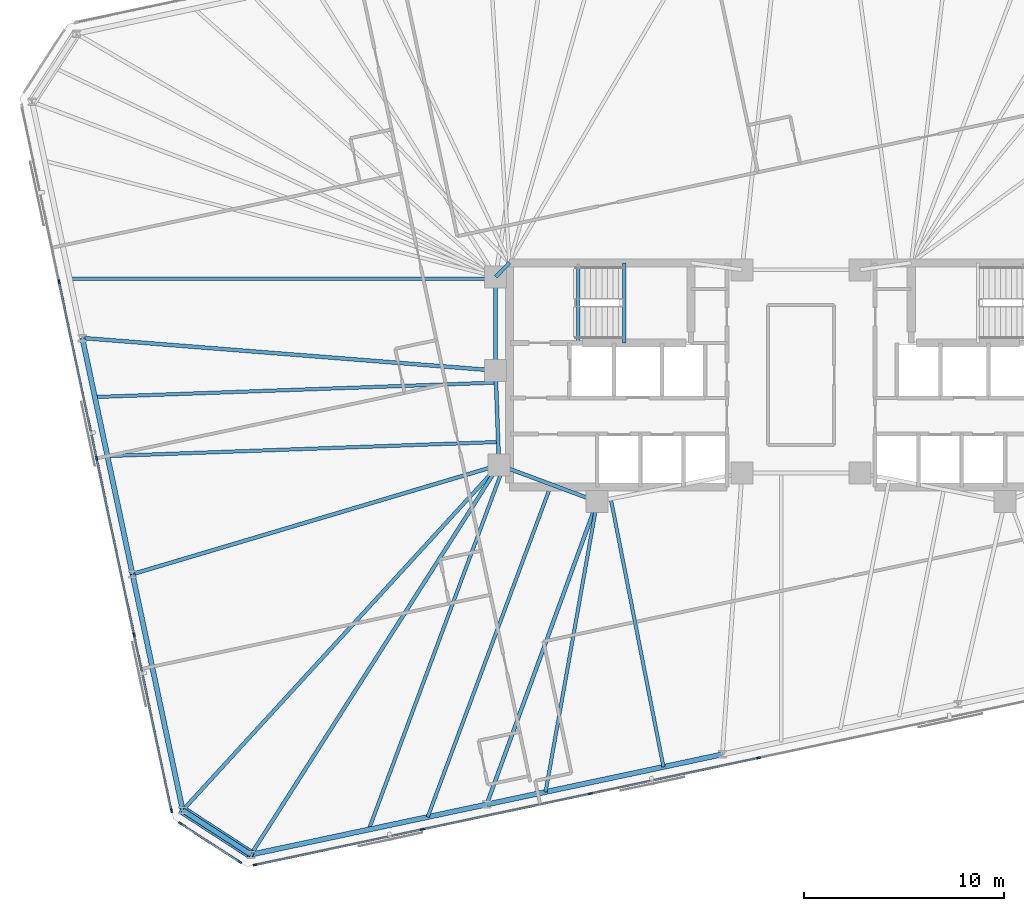
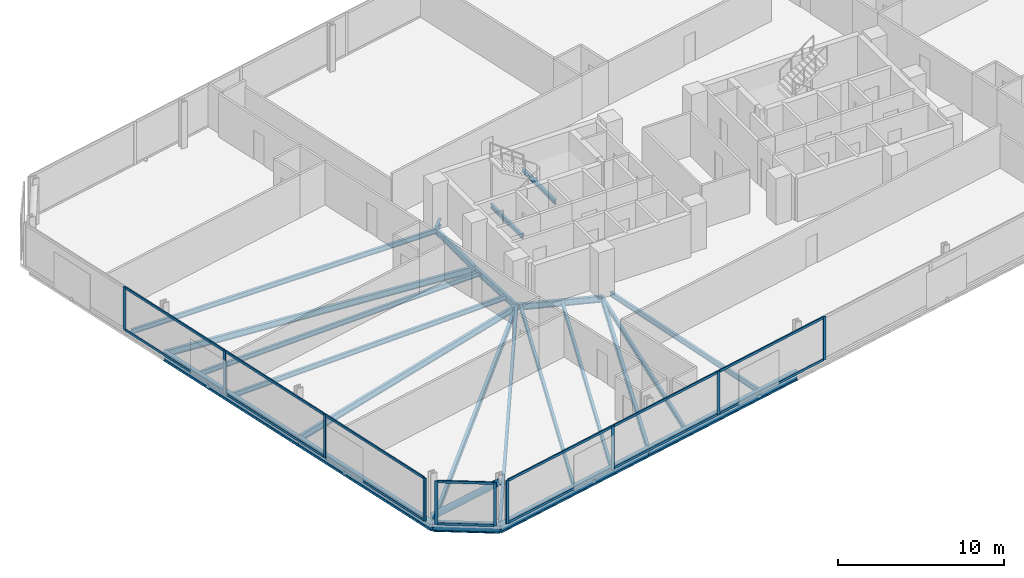
# One storey, part 6 of 19: 25 members, 23 beams, 3 elements without a shape of their own.
"""IFC4 building model written with IfcOpenShell, lengths in metres."""

import ifcopenshell
import ifcopenshell.guid

model = None  # the IFC model being written
_history = None  # IfcOwnerHistory: only IFC2X3 demands one
_inside = {}  # id of a spatial element -> (the spatial element, [elements in it])
_under = {}  # id of a project, library or spatial element -> (it, [spatial elements below it])
_declared = {}  # id of a project -> (the project, [libraries it declares])
_typed = {}  # id of a type object -> (the type object, [elements of that type])
_made_of = {}  # id of a material, layer set ... -> (it, [elements and type objects made of it])


def new_model(schema):
    """Start an empty IFC model of exactly this schema.

    Asked for "IFC4X3", IfcOpenShell would pick the latest addendum, in which some entities
    have other attributes; the version numbers below select the first issue.
    IFC2X3 requires an IfcOwnerHistory on every rooted entity: one is made here for all.
    """
    global model, _history
    if schema == "IFC4X3":
        model = ifcopenshell.file(schema_version=(4, 3, 0, 0))
    else:
        model = ifcopenshell.file(schema=schema)
    _inside.clear()
    _under.clear()
    _declared.clear()
    _typed.clear()
    _made_of.clear()
    _history = None
    if model.schema == "IFC2X3":
        org = make("IfcOrganization", Name="unknown")
        user = make(
            "IfcPersonAndOrganization",
            ThePerson=make("IfcPerson", FamilyName="unknown"),
            TheOrganization=org,
        )
        app = make(
            "IfcApplication",
            ApplicationDeveloper=org,
            Version="unknown",
            ApplicationFullName="unknown",
            ApplicationIdentifier="unknown",
        )
        _history = make(
            "IfcOwnerHistory",
            OwningUser=user,
            OwningApplication=app,
            ChangeAction="ADDED",
            CreationDate=0,
        )
    return model


def make(cls, **values):
    """One entity of the class cls with the attributes given. An attribute that is None is left unset."""
    return model.create_entity(
        cls, **{name: value for name, value in values.items() if value is not None}
    )


def rooted(cls, **values):
    """An entity with a GlobalId (a new one), such as an element, a storey or a relation."""
    return make(cls, GlobalId=ifcopenshell.guid.new(), OwnerHistory=_history, **values)


def si_unit(unit_type, name, prefix=None):
    """IfcSIUnit, for example si_unit("LENGTHUNIT", "METRE", prefix="MILLI")."""
    return make("IfcSIUnit", UnitType=unit_type, Prefix=prefix, Name=name)


def assignment(units):
    """IfcUnitAssignment: the units of a project."""
    return None if units is None else make("IfcUnitAssignment", Units=units)


def point(xyz):
    """IfcCartesianPoint."""
    return None if xyz is None else make("IfcCartesianPoint", Coordinates=xyz)


def direction(xyz):
    """IfcDirection."""
    return None if xyz is None else make("IfcDirection", DirectionRatios=xyz)


def frame(location, z_axis=None, x_axis=None):
    """IfcAxis2Placement3D, a coordinate frame: its origin and axes. An axis left out is left unset."""
    return make(
        "IfcAxis2Placement3D",
        Location=point(location),
        Axis=direction(z_axis),
        RefDirection=direction(x_axis),
    )


def frame_2d(location, x_axis=None):
    """IfcAxis2Placement2D, a coordinate frame in the plane: its origin and x axis."""
    return make(
        "IfcAxis2Placement2D", Location=point(location), RefDirection=direction(x_axis)
    )


def origin():
    """The frame at (0, 0, 0) with its axes left unset."""
    return frame((0.0, 0.0, 0.0))


def origin_2d():
    """The frame at (0, 0) in the plane with its x axis left unset."""
    return frame_2d((0.0, 0.0))


def place(relative_to, where):
    """IfcLocalPlacement: puts the frame where relative to a parent placement (None: the world)."""
    return make(
        "IfcLocalPlacement", PlacementRelTo=relative_to, RelativePlacement=where
    )


def context(
    kind, dimensions, precision=None, world=None, true_north=None, identifier=None
):
    """IfcGeometricRepresentationContext, for example the 3D "Model" context."""
    return make(
        "IfcGeometricRepresentationContext",
        ContextIdentifier=identifier,
        ContextType=kind,
        CoordinateSpaceDimension=dimensions,
        Precision=precision,
        WorldCoordinateSystem=world,
        TrueNorth=true_north,
    )


def subcontext(parent, identifier, kind, view, scale=None):
    """IfcGeometricRepresentationSubContext, for example "Body" below "Model"."""
    return make(
        "IfcGeometricRepresentationSubContext",
        ContextIdentifier=identifier,
        ContextType=kind,
        ParentContext=parent,
        TargetScale=scale,
        TargetView=view,
    )


def project(units=None, contexts=None):
    """IfcProject with its units and contexts."""
    return rooted(
        "IfcProject",
        Name="project",
        RepresentationContexts=contexts,
        UnitsInContext=assignment(units),
    )


def spatial(cls, under=None, at=None, **own):
    """A site, building, storey or space (cls), placed at a placement, below another one or the project."""
    s = rooted(cls, ObjectPlacement=at, **own)
    if under is not None:
        _under.setdefault(under.id(), (under, []))[1].append(s)
    return s


def profile(cls, at=None, kind="AREA", **sizes):
    """A parametric profile (cls). Its sizes go by their IFC names, for example OverallWidth=200.0."""
    return make(cls, ProfileType=kind, Position=at, **sizes)


def rectangle(**sizes):
    """IfcRectangleProfileDef."""
    return profile("IfcRectangleProfileDef", **sizes)


def hollow_circle(**sizes):
    """IfcCircleHollowProfileDef."""
    return profile("IfcCircleHollowProfileDef", **sizes)


def i_section(**sizes):
    """IfcIShapeProfileDef."""
    return profile("IfcIShapeProfileDef", **sizes)


def extrude(swept, where, along, depth):
    """IfcExtrudedAreaSolid: the profile swept, set in the frame where, extruded along a direction by depth."""
    return make(
        "IfcExtrudedAreaSolid",
        SweptArea=swept,
        Position=where,
        ExtrudedDirection=direction(along),
        Depth=depth,
    )


def shape(context_of_items, identifier, shape_type, items):
    """IfcShapeRepresentation: the items that make up one representation, for example the "Body"."""
    return make(
        "IfcShapeRepresentation",
        ContextOfItems=context_of_items,
        RepresentationIdentifier=identifier,
        RepresentationType=shape_type,
        Items=items,
    )


def material(Name=None, Category=None):
    """IfcMaterial."""
    return make("IfcMaterial", Name=Name, Category=Category)


def material_profile(
    of_material, cross_section, Name=None, Category=None, Priority=None
):
    """IfcMaterialProfile: a cross section and its material."""
    return make(
        "IfcMaterialProfile",
        Name=Name,
        Material=of_material,
        Profile=cross_section,
        Priority=Priority,
        Category=Category,
    )


def profile_set(profiles, Name=None, composite=None):
    """IfcMaterialProfileSet."""
    return make(
        "IfcMaterialProfileSet",
        Name=Name,
        MaterialProfiles=profiles,
        CompositeProfile=composite,
    )


def made_of(thing, what):
    """Note that an element or type object is made of a material, layer set ...; save() writes the relation."""
    if what is not None:
        _made_of.setdefault(what.id(), (what, []))[1].append(thing)
    return thing


def type_object(cls, material=None, **own):
    """A type object (cls), such as IfcWallType, which elements share."""
    return made_of(rooted(cls, **own), material)


def element(
    cls,
    number,
    at=None,
    inside=None,
    cuts=None,
    type_object=None,
    material=None,
    context=None,
    identifier="Body",
    shape_type=None,
    held_by="IfcProductDefinitionShape",
    body=None,
    shapes=None,
    **own,
):
    """One element of the class cls, such as IfcWall. Its Tag is "e" and its number.

    at: its placement. inside: the storey or other place that contains it. cuts: it is an
    opening in that element (IfcRelVoidsElement). A single representation is given by context,
    identifier, shape_type and body (its items); several are given by shapes. held_by: the class
    of the entity that holds the representations. save() writes the other relations.
    """
    e = rooted(cls, Tag="e%d" % number, ObjectPlacement=at, **own)
    if body is not None:
        shapes = [shape(context, identifier, shape_type, body)]
    if shapes is not None:
        e.Representation = make(held_by, Representations=shapes)
    if inside is not None:
        _inside.setdefault(inside.id(), (inside, []))[1].append(e)
    if cuts is not None:
        rooted(
            "IfcRelVoidsElement", RelatingBuildingElement=cuts, RelatedOpeningElement=e
        )
    if type_object is not None:
        _typed.setdefault(type_object.id(), (type_object, []))[1].append(e)
    return made_of(e, material)


def aggregate(whole, parts):
    """IfcRelAggregates: a whole, such as a stair, and the parts it consists of."""
    return rooted("IfcRelAggregates", RelatingObject=whole, RelatedObjects=parts)


def save(model, path):
    """Write the relations noted so far, then the file.

    IfcRelAggregates (storeys below a building ...), IfcRelContainedInSpatialStructure (elements
    in a storey), IfcRelDefinesByType, IfcRelAssociatesMaterial and IfcRelDeclares: one each for
    every whole, place, type object, material and project.
    """
    for whole, parts in _under.values():
        aggregate(whole, parts)
    for where, things in _inside.values():
        rooted(
            "IfcRelContainedInSpatialStructure",
            RelatedElements=things,
            RelatingStructure=where,
        )
    for kind, things in _typed.values():
        rooted("IfcRelDefinesByType", RelatedObjects=things, RelatingType=kind)
    for what, things in _made_of.values():
        rooted("IfcRelAssociatesMaterial", RelatedObjects=things, RelatingMaterial=what)
    for by, libraries in _declared.values():
        rooted("IfcRelDeclares", RelatingContext=by, RelatedDefinitions=libraries)
    model.write(path)


model = new_model("IFC4")

# Units and contexts
model_context = context("Model", 3, precision=1e-05, world=origin(), true_north=direction((0.0, 1.0)))
body_context = subcontext(model_context, "Body", "Model", "MODEL_VIEW")
ifc_project = project(units=[si_unit("LENGTHUNIT", "METRE"), si_unit("AREAUNIT", "SQUARE_METRE"), si_unit("VOLUMEUNIT", "CUBIC_METRE"), si_unit("PLANEANGLEUNIT", "RADIAN"), si_unit("MASSUNIT", "GRAM", prefix="KILO")], contexts=[model_context])

# Site, building, storey
site_placement = place(None, origin())
site = spatial("IfcSite", under=ifc_project, at=site_placement, CompositionType="ELEMENT")
building_placement = place(site_placement, origin())
building = spatial("IfcBuilding", under=site, at=building_placement, Name="Menara Jurai Vektor", CompositionType="ELEMENT")
storey_placement = place(building_placement, frame((0.0, 0.0, 171.800048828125)))
storey = spatial("IfcBuildingStorey", under=building, at=storey_placement, Name="L44", CompositionType="ELEMENT", Elevation=171.800048828125)

# Curtain wall, members
ifc_material_1 = material(Name="Anodised Pale Aluminium & Low-E Double Glazing", Category="aluminium")
curtain_wall_type = type_object("IfcCurtainWallType", Name="CW-BLK3", PredefinedType="NOTDEFINED", material=ifc_material_1)
curtain_wall_1_placement = place(storey_placement, origin())
curtain_wall_1 = element("IfcCurtainWall", 1, at=curtain_wall_1_placement, inside=storey, type_object=curtain_wall_type, Name="Unitised Curtain Wall L44 F01", PredefinedType="NOTDEFINED")
ifc_material_2 = material(Name="Anodised Pale Aluminium Mullion", Category="aluminium")
ifc_material_profile_1 = material_profile(ifc_material_2, rectangle(XDim=0.0849609375, YDim=0.205078125, at=origin_2d()), Name="ALU MUL 85x205")
ifc_profile_set_1 = profile_set([ifc_material_profile_1], Name="Anodised Pale Aluminium Mullion")
member_type_1 = type_object("IfcMemberType", Name="CW-BLK3-MUL", PredefinedType="MULLION", material=ifc_profile_set_1)
member_1_placement = place(storey_placement, frame((-27.25244140625, -24.462890625, 0.0), z_axis=(0.0, 0.0, 1.0), x_axis=(-0.207911344156, 0.978147674419, 0.0)))
member_1 = element("IfcMember", 2, at=member_1_placement, type_object=member_type_1, Name="CW-03 mullion 1", PredefinedType="MULLION", context=body_context, shape_type="SweptSolid", body=[
    extrude(rectangle(XDim=0.0849609375, YDim=0.205078125, at=origin_2d()), origin(), (0.0, 0.0, 1.0), 3.175048828125),
])
member_2_placement = place(storey_placement, frame((-18.904296875, -22.6884765625, 0.0), z_axis=(0.0, 0.0, 1.0), x_axis=(-0.207911344156, 0.978147674419, 0.0)))
member_2 = element("IfcMember", 3, at=member_2_placement, type_object=member_type_1, Name="CW-03 mullion 2", PredefinedType="MULLION", context=body_context, shape_type="SweptSolid", body=[
    extrude(rectangle(XDim=0.0849609375, YDim=0.205078125, at=origin_2d()), origin(), (0.0, 0.0, 1.0), 3.175048828125),
])
member_3_placement = place(storey_placement, frame((-10.514404296875, -20.905029296875, 0.0), z_axis=(0.0, 0.0, 1.0), x_axis=(-0.207911344156, 0.978147674419, 0.0)))
member_3 = element("IfcMember", 4, at=member_3_placement, type_object=member_type_1, Name="CW-03 mullion 3", PredefinedType="MULLION", context=body_context, shape_type="SweptSolid", body=[
    extrude(rectangle(XDim=0.0849609375, YDim=0.205078125, at=origin_2d()), origin(), (0.0, 0.0, 1.0), 3.175048828125),
])
member_4_placement = place(storey_placement, frame((-2.124755859375, -19.121826171875, 0.0), z_axis=(0.0, 0.0, 1.0), x_axis=(-0.207911344156, 0.978147674419, 0.0)))
member_4 = element("IfcMember", 5, at=member_4_placement, type_object=member_type_1, Name="CW-03 mullion 4", PredefinedType="MULLION", context=body_context, shape_type="SweptSolid", body=[
    extrude(rectangle(XDim=0.0849609375, YDim=0.205078125, at=origin_2d()), origin(), (0.0, 0.0, 1.0), 3.175048828125),
])

curtain_wall_2_placement = place(storey_placement, origin())
curtain_wall_2 = element("IfcCurtainWall", 6, at=curtain_wall_2_placement, inside=storey, type_object=curtain_wall_type, Name="Unitised Curtain Wall L44 F07", PredefinedType="NOTDEFINED")
member_5_placement = place(storey_placement, frame((-37.041259765625, 4.648193359375, 0.0), z_axis=(0.0, 0.0, 1.0), x_axis=(0.978147883949, 0.20791035839, 0.0)))
member_5 = element("IfcMember", 7, at=member_5_placement, type_object=member_type_1, Name="CW-03 mullion 2", PredefinedType="MULLION", context=body_context, shape_type="SweptSolid", body=[
    extrude(rectangle(XDim=0.0849609375, YDim=0.205078125, at=origin_2d()), origin(), (0.0, 0.0, 1.0), 3.175048828125),
])
member_6_placement = place(storey_placement, frame((-35.16796875, -4.1650390625, 0.0), z_axis=(0.0, 0.0, 1.0), x_axis=(0.978147883949, 0.20791035839, 0.0)))
member_6 = element("IfcMember", 8, at=member_6_placement, type_object=member_type_1, Name="CW-03 mullion 3", PredefinedType="MULLION", context=body_context, shape_type="SweptSolid", body=[
    extrude(rectangle(XDim=0.0849609375, YDim=0.205078125, at=origin_2d()), origin(), (0.0, 0.0, 1.0), 3.175048828125),
])
member_7_placement = place(storey_placement, frame((-33.294677734375, -12.978271484375, 0.0), z_axis=(0.0, 0.0, 1.0), x_axis=(0.978147883949, 0.20791035839, 0.0)))
member_7 = element("IfcMember", 9, at=member_7_placement, type_object=member_type_1, Name="CW-03 mullion 4", PredefinedType="MULLION", context=body_context, shape_type="SweptSolid", body=[
    extrude(rectangle(XDim=0.0849609375, YDim=0.205078125, at=origin_2d()), origin(), (0.0, 0.0, 1.0), 3.175048828125),
])
member_8_placement = place(storey_placement, frame((-31.43017578125, -21.749755859375, 0.0), z_axis=(0.0, 0.0, 1.0), x_axis=(0.978147883949, 0.20791035839, 0.0)))
member_8 = element("IfcMember", 10, at=member_8_placement, type_object=member_type_1, Name="CW-03 mullion 5", PredefinedType="MULLION", context=body_context, shape_type="SweptSolid", body=[
    extrude(rectangle(XDim=0.0849609375, YDim=0.205078125, at=origin_2d()), origin(), (0.0, 0.0, 1.0), 3.175048828125),
])

curtain_wall_3_placement = place(storey_placement, origin())
curtain_wall_3 = element("IfcCurtainWall", 11, at=curtain_wall_3_placement, inside=storey, type_object=curtain_wall_type, Name="Unitised Curtain Wall L44 F08", PredefinedType="NOTDEFINED")
member_9_placement = place(storey_placement, frame((-30.988037109375, -22.39306640625, 0.0), z_axis=(0.0, 0.0, 1.0), x_axis=(0.544617794346, 0.838684361415, 0.0)))
member_9 = element("IfcMember", 12, at=member_9_placement, type_object=member_type_1, Name="CW-03 mullion 1", PredefinedType="MULLION", context=body_context, shape_type="SweptSolid", body=[
    extrude(rectangle(XDim=0.0849609375, YDim=0.205078125, at=origin_2d()), origin(), (0.0, 0.0, 1.0), 3.175048828125),
])
member_10_placement = place(storey_placement, frame((-28.02001953125, -24.320556640625, 0.0), z_axis=(0.0, 0.0, 1.0), x_axis=(0.544617794346, 0.838684361415, 0.0)))
member_10 = element("IfcMember", 13, at=member_10_placement, type_object=member_type_1, Name="CW-03 mullion 2", PredefinedType="MULLION", context=body_context, shape_type="SweptSolid", body=[
    extrude(rectangle(XDim=0.0849609375, YDim=0.205078125, at=origin_2d()), origin(), (0.0, 0.0, 1.0), 3.175048828125),
])

# Member
ifc_material_3 = material(Name="Anodised Pale Aluminium Transom", Category="aluminium")
ifc_material_profile_2 = material_profile(ifc_material_3, rectangle(XDim=0.0849609375, YDim=0.175048828125, at=origin_2d()), Name="ALU TRN 85x175")
ifc_profile_set_2 = profile_set([ifc_material_profile_2], Name="Anodised Pale Aluminium Transom")
member_type_2 = type_object("IfcMemberType", Name="CW-BLK3-TRN", PredefinedType="USERDEFINED", material=ifc_profile_set_2)
member_11_placement = place(storey_placement, frame((-27.210693359375, -24.4541015625, 0.04248046875), z_axis=(0.978145704369, 0.207920612313, 0.0), x_axis=(-0.207920612313, 0.978145704369, 0.0)))
member_11 = element("IfcMember", 14, at=member_11_placement, type_object=member_type_2, Name="CW-03 transom 1.1", ObjectType="TRANSOM", PredefinedType="USERDEFINED", context=body_context, shape_type="SweptSolid", body=[
    extrude(rectangle(XDim=0.0849609375, YDim=0.175048828125, at=origin_2d()), origin(), (0.0, 0.0, 1.0), 8.449462890625),
])

member_12_placement = place(storey_placement, frame((-27.210693359375, -24.4541015625, 3.132568359375), z_axis=(0.978145704369, 0.207920612313, 0.0), x_axis=(-0.207920612313, 0.978145704369, 0.0)))
member_12 = element("IfcMember", 15, at=member_12_placement, type_object=member_type_2, Name="CW-03 transom 1.2", ObjectType="TRANSOM", PredefinedType="USERDEFINED", context=body_context, shape_type="SweptSolid", body=[
    extrude(rectangle(XDim=0.0849609375, YDim=0.175048828125, at=origin_2d()), origin(), (0.0, 0.0, 1.0), 8.449462890625),
])

member_13_placement = place(storey_placement, frame((-18.862548828125, -22.6796875, 0.04248046875), z_axis=(0.978146500933, 0.207916864907, 0.0), x_axis=(-0.207916864907, 0.978146500933, 0.0)))
member_13 = element("IfcMember", 16, at=member_13_placement, type_object=member_type_2, Name="CW-03 transom 2.1", ObjectType="TRANSOM", PredefinedType="USERDEFINED", context=body_context, shape_type="SweptSolid", body=[
    extrude(rectangle(XDim=0.0849609375, YDim=0.175048828125, at=origin_2d()), origin(), (0.0, 0.0, 1.0), 8.491943359375),
])

member_14_placement = place(storey_placement, frame((-18.862548828125, -22.6796875, 3.132568359375), z_axis=(0.978146500933, 0.207916864907, 0.0), x_axis=(-0.207916864907, 0.978146500933, 0.0)))
member_14 = element("IfcMember", 17, at=member_14_placement, type_object=member_type_2, Name="CW-03 transom 2.2", ObjectType="TRANSOM", PredefinedType="USERDEFINED", context=body_context, shape_type="SweptSolid", body=[
    extrude(rectangle(XDim=0.0849609375, YDim=0.175048828125, at=origin_2d()), origin(), (0.0, 0.0, 1.0), 8.491943359375),
])

member_15_placement = place(storey_placement, frame((-10.472900390625, -20.896240234375, 0.04248046875), z_axis=(0.978147743708, 0.207911018178, 0.0), x_axis=(-0.207911018178, 0.978147743708, 0.0)))
member_15 = element("IfcMember", 18, at=member_15_placement, type_object=member_type_2, Name="CW-03 transom 3.1", ObjectType="TRANSOM", PredefinedType="USERDEFINED", context=body_context, shape_type="SweptSolid", body=[
    extrude(rectangle(XDim=0.0849609375, YDim=0.175048828125, at=origin_2d()), origin(), (0.0, 0.0, 1.0), 8.4921875),
])

member_16_placement = place(storey_placement, frame((-10.472900390625, -20.896240234375, 3.132568359375), z_axis=(0.978147743708, 0.207911018178, 0.0), x_axis=(-0.207911018178, 0.978147743708, 0.0)))
member_16 = element("IfcMember", 19, at=member_16_placement, type_object=member_type_2, Name="CW-03 transom 3.2", ObjectType="TRANSOM", PredefinedType="USERDEFINED", context=body_context, shape_type="SweptSolid", body=[
    extrude(rectangle(XDim=0.0849609375, YDim=0.175048828125, at=origin_2d()), origin(), (0.0, 0.0, 1.0), 8.4921875),
])

aggregate(curtain_wall_1, [member_1, member_2, member_3, member_4, member_11, member_12, member_13, member_14, member_15, member_16])

member_17_placement = place(storey_placement, frame((-37.032470703125, 4.6064453125, 0.04248046875), z_axis=(0.207922224243, -0.978145361726, 0.0), x_axis=(0.978145361726, 0.207922224243, 0.0)))
member_17 = element("IfcMember", 20, at=member_17_placement, type_object=member_type_2, Name="CW-03 transom 2.1", ObjectType="TRANSOM", PredefinedType="USERDEFINED", context=body_context, shape_type="SweptSolid", body=[
    extrude(rectangle(XDim=0.0849609375, YDim=0.175048828125, at=origin_2d()), origin(), (0.0, 0.0, 1.0), 8.925048828125),
])

member_18_placement = place(storey_placement, frame((-37.032470703125, 4.6064453125, 3.132568359375), z_axis=(0.207922224243, -0.978145361726, 0.0), x_axis=(0.978145361726, 0.207922224243, 0.0)))
member_18 = element("IfcMember", 21, at=member_18_placement, type_object=member_type_2, Name="CW-03 transom 2.2", ObjectType="TRANSOM", PredefinedType="USERDEFINED", context=body_context, shape_type="SweptSolid", body=[
    extrude(rectangle(XDim=0.0849609375, YDim=0.175048828125, at=origin_2d()), origin(), (0.0, 0.0, 1.0), 8.925048828125),
])

member_19_placement = place(storey_placement, frame((-35.1591796875, -4.20654296875, 0.04248046875), z_axis=(0.207922224243, -0.978145361726, 0.0), x_axis=(0.978145361726, 0.207922224243, 0.0)))
member_19 = element("IfcMember", 22, at=member_19_placement, type_object=member_type_2, Name="CW-03 transom 3.1", ObjectType="TRANSOM", PredefinedType="USERDEFINED", context=body_context, shape_type="SweptSolid", body=[
    extrude(rectangle(XDim=0.0849609375, YDim=0.175048828125, at=origin_2d()), origin(), (0.0, 0.0, 1.0), 8.925048828125),
])

member_20_placement = place(storey_placement, frame((-35.1591796875, -4.20654296875, 3.132568359375), z_axis=(0.207922224243, -0.978145361726, 0.0), x_axis=(0.978145361726, 0.207922224243, 0.0)))
member_20 = element("IfcMember", 23, at=member_20_placement, type_object=member_type_2, Name="CW-03 transom 3.2", ObjectType="TRANSOM", PredefinedType="USERDEFINED", context=body_context, shape_type="SweptSolid", body=[
    extrude(rectangle(XDim=0.0849609375, YDim=0.175048828125, at=origin_2d()), origin(), (0.0, 0.0, 1.0), 8.925048828125),
])

member_21_placement = place(storey_placement, frame((-33.285888671875, -13.019775390625, 0.04248046875), z_axis=(0.207925814542, -0.978144598537, 0.0), x_axis=(0.978144598537, 0.207925814542, 0.0)))
member_21 = element("IfcMember", 24, at=member_21_placement, type_object=member_type_2, Name="CW-03 transom 4.1", ObjectType="TRANSOM", PredefinedType="USERDEFINED", context=body_context, shape_type="SweptSolid", body=[
    extrude(rectangle(XDim=0.0849609375, YDim=0.175048828125, at=origin_2d()), origin(), (0.0, 0.0, 1.0), 8.882568359375),
])

member_22_placement = place(storey_placement, frame((-33.285888671875, -13.019775390625, 3.132568359375), z_axis=(0.207925814542, -0.978144598537, 0.0), x_axis=(0.978144598537, 0.207925814542, 0.0)))
member_22 = element("IfcMember", 25, at=member_22_placement, type_object=member_type_2, Name="CW-03 transom 4.2", ObjectType="TRANSOM", PredefinedType="USERDEFINED", context=body_context, shape_type="SweptSolid", body=[
    extrude(rectangle(XDim=0.0849609375, YDim=0.175048828125, at=origin_2d()), origin(), (0.0, 0.0, 1.0), 8.882568359375),
])

aggregate(curtain_wall_2, [member_5, member_6, member_7, member_8, member_17, member_18, member_19, member_20, member_21, member_22])

member_23_placement = place(storey_placement, frame((-30.952392578125, -22.416259765625, 0.04248046875), z_axis=(0.83867770631, -0.54462804274, 0.0), x_axis=(0.54462804274, 0.83867770631, 0.0)))
member_23 = element("IfcMember", 26, at=member_23_placement, type_object=member_type_2, Name="CW-03 transom 1.1", ObjectType="TRANSOM", PredefinedType="USERDEFINED", context=body_context, shape_type="SweptSolid", body=[
    extrude(rectangle(XDim=0.0849609375, YDim=0.175048828125, at=origin_2d()), origin(), (0.0, 0.0, 1.0), 3.453857421875),
])

member_24_placement = place(storey_placement, frame((-30.952392578125, -22.416259765625, 3.132568359375), z_axis=(0.83867770631, -0.54462804274, 0.0), x_axis=(0.54462804274, 0.83867770631, 0.0)))
member_24 = element("IfcMember", 27, at=member_24_placement, type_object=member_type_2, Name="CW-03 transom 1.2", ObjectType="TRANSOM", PredefinedType="USERDEFINED", context=body_context, shape_type="SweptSolid", body=[
    extrude(rectangle(XDim=0.0849609375, YDim=0.175048828125, at=origin_2d()), origin(), (0.0, 0.0, 1.0), 3.453857421875),
])

aggregate(curtain_wall_3, [member_9, member_10, member_23, member_24])

# Beams
ifc_material_4 = material(Name="Steel S355", Category="steel")
ifc_material_profile_3 = material_profile(ifc_material_4, i_section(OverallWidth=0.19091796875, OverallDepth=0.4599609375, WebThickness=0.010009765625, FlangeThickness=0.01611328125, FilletRadius=0.010009765625, at=origin_2d()), Name="UKB 457x191x82")
ifc_profile_set_3 = profile_set([ifc_material_profile_3], Name="Steel S355")
beam_type_1 = type_object("IfcBeamType", Name="STR-BM-457", PredefinedType="BEAM", material=ifc_profile_set_3)
beam_1_placement = place(storey_placement, frame((-15.25, 4.89990234375, -0.455078125), z_axis=(0.701871936926, 0.712303154672, 0.0), x_axis=(-0.712303154672, 0.701871936926, 0.0)))
element("IfcBeam", 28, at=beam_1_placement, inside=storey, type_object=beam_type_1, Name="Core Ring Header Girder L44-CHW-N1", PredefinedType="BEAM", context=body_context, shape_type="SweptSolid", body=[
    extrude(i_section(OverallWidth=0.19091796875, OverallDepth=0.4599609375, WebThickness=0.010009765625, FlangeThickness=0.01611328125, FilletRadius=0.010009765625, at=origin_2d()), origin(), (0.0, 0.0, 1.0), 0.98291015625),
])
beam_2_placement = place(storey_placement, frame((-15.25, 0.219970703125, -0.455078125), z_axis=(0.0, 1.0, 0.0), x_axis=(-1.0, 0.0, 0.0)))
element("IfcBeam", 29, at=beam_2_placement, inside=storey, type_object=beam_type_1, Name="Core Ring Header Girder L44-CHW-W1", PredefinedType="BEAM", context=body_context, shape_type="SweptSolid", body=[
    extrude(i_section(OverallWidth=0.19091796875, OverallDepth=0.4599609375, WebThickness=0.010009765625, FlangeThickness=0.01611328125, FilletRadius=0.010009765625, at=origin_2d()), origin(), (0.0, 0.0, 1.0), 4.679931640625),
])
beam_3_placement = place(storey_placement, frame((-15.080078125, -4.5, -0.455078125), z_axis=(-0.035977314146, 0.999352606874, 0.0), x_axis=(-0.999352606874, -0.035977314146, 0.0)))
element("IfcBeam", 30, at=beam_3_placement, inside=storey, type_object=beam_type_1, Name="Core Ring Header Girder L44-CHW-W2", PredefinedType="BEAM", context=body_context, shape_type="SweptSolid", body=[
    extrude(i_section(OverallWidth=0.19091796875, OverallDepth=0.4599609375, WebThickness=0.010009765625, FlangeThickness=0.01611328125, FilletRadius=0.010009765625, at=origin_2d()), origin(), (0.0, 0.0, 1.0), 4.72314453125),
])
beam_4_placement = place(storey_placement, frame((-15.080078125, -4.5, -0.455078125), z_axis=(0.937424400887, -0.348188874925, 0.0), x_axis=(0.348188874925, 0.937424400887, 0.0)))
element("IfcBeam", 31, at=beam_4_placement, inside=storey, type_object=beam_type_1, Name="Core Ring Header Girder L44-CHW-S1", PredefinedType="BEAM", context=body_context, shape_type="SweptSolid", body=[
    extrude(i_section(OverallWidth=0.19091796875, OverallDepth=0.4599609375, WebThickness=0.010009765625, FlangeThickness=0.01611328125, FilletRadius=0.010009765625, at=origin_2d()), origin(), (0.0, 0.0, 1.0), 5.227294921875),
])
beam_5_placement = place(storey_placement, frame((-27.46484375, -23.94580078125, -0.455078125), z_axis=(0.537189280991, 0.843461721946, 0.0), x_axis=(-0.843461721946, 0.537189280991, 0.0)))
element("IfcBeam", 32, at=beam_5_placement, inside=storey, type_object=beam_type_1, Name="Radial Floor Girder L44-S1", PredefinedType="BEAM", context=body_context, shape_type="SweptSolid", body=[
    extrude(i_section(OverallWidth=0.19091796875, OverallDepth=0.4599609375, WebThickness=0.010009765625, FlangeThickness=0.01611328125, FilletRadius=0.010009765625, at=origin_2d()), origin(), (0.0, 0.0, 1.0), 23.0546875),
])
beam_6_placement = place(storey_placement, frame((-15.696533203125, -21.4443359375, -0.455078125), z_axis=(0.342668294367, 0.939456459893, 0.0), x_axis=(-0.939456459893, 0.342668294367, 0.0)))
element("IfcBeam", 33, at=beam_6_placement, inside=storey, type_object=beam_type_1, Name="Radial Floor Girder L44-S2", PredefinedType="BEAM", context=body_context, shape_type="SweptSolid", body=[
    extrude(i_section(OverallWidth=0.19091796875, OverallDepth=0.4599609375, WebThickness=0.010009765625, FlangeThickness=0.01611328125, FilletRadius=0.010009765625, at=origin_2d()), origin(), (0.0, 0.0, 1.0), 16.098876953125),
])
beam_7_placement = place(storey_placement, frame((-35.8828125, 1.843505859375, -0.455078125), z_axis=(0.996918476483, -0.078444574364, 0.0), x_axis=(0.078444574364, 0.996918476483, 0.0)))
element("IfcBeam", 34, at=beam_7_placement, inside=storey, type_object=beam_type_1, Name="Radial Floor Girder L44-W2", PredefinedType="BEAM", context=body_context, shape_type="SweptSolid", body=[
    extrude(i_section(OverallWidth=0.19091796875, OverallDepth=0.4599609375, WebThickness=0.010009765625, FlangeThickness=0.01611328125, FilletRadius=0.010009765625, at=origin_2d()), origin(), (0.0, 0.0, 1.0), 20.696533203125),
])
beam_8_placement = place(storey_placement, frame((-33.377197265625, -9.94482421875, -0.455078125), z_axis=(0.958462775407, 0.285217650505, 0.0), x_axis=(-0.285217650505, 0.958462775407, 0.0)))
element("IfcBeam", 35, at=beam_8_placement, inside=storey, type_object=beam_type_1, Name="Radial Floor Girder L44-W3", PredefinedType="BEAM", context=body_context, shape_type="SweptSolid", body=[
    extrude(i_section(OverallWidth=0.19091796875, OverallDepth=0.4599609375, WebThickness=0.010009765625, FlangeThickness=0.01611328125, FilletRadius=0.010009765625, at=origin_2d()), origin(), (0.0, 0.0, 1.0), 19.090087890625),
])
beam_9_placement = place(storey_placement, frame((-30.871337890625, -21.7333984375, -0.455078125), z_axis=(0.675584615662, 0.737282460852, 0.0), x_axis=(-0.737282460852, 0.675584615662, 0.0)))
element("IfcBeam", 36, at=beam_9_placement, inside=storey, type_object=beam_type_1, Name="Radial Floor Girder L44-W4", PredefinedType="BEAM", context=body_context, shape_type="SweptSolid", body=[
    extrude(i_section(OverallWidth=0.19091796875, OverallDepth=0.4599609375, WebThickness=0.010009765625, FlangeThickness=0.01611328125, FilletRadius=0.010009765625, at=origin_2d()), origin(), (0.0, 0.0, 1.0), 23.374267578125),
])

# Member
ifc_material_5 = material(Name="Steel S460", Category="steel")
ifc_material_profile_4 = material_profile(ifc_material_5, hollow_circle(Radius=0.228515625, WallThickness=0.01611328125, at=origin_2d()), Name="CHS 457x16")
ifc_profile_set_4 = profile_set([ifc_material_profile_4], Name="Steel S460")
member_type_3 = type_object("IfcMemberType", Name="STR-BR-457", PredefinedType="BRACE", material=ifc_profile_set_4)
member_25_placement = place(storey_placement, frame((-30.871337890625, -21.7333984375, 0.14990234375), z_axis=(0.700402825662, -0.454887866849, 0.5500117366), x_axis=(0.544673525608, 0.838648168484, 0.0)))
element("IfcMember", 37, at=member_25_placement, inside=storey, type_object=member_type_3, Name="Exoskeleton Corner Brace L44-4", PredefinedType="BRACE", context=body_context, shape_type="SweptSolid", body=[
    extrude(hollow_circle(Radius=0.228515625, WallThickness=0.01611328125, at=origin_2d()), origin(), (0.0, 0.0, 1.0), 4.863525390625),
])

# Beams
ifc_material_profile_5 = material_profile(ifc_material_4, i_section(OverallWidth=0.172119140625, OverallDepth=0.35498046875, WebThickness=0.007080078125, FlangeThickness=0.011962890625, FilletRadius=0.010009765625, at=origin_2d()), Name="UKB 356x171x51")
ifc_profile_set_5 = profile_set([ifc_material_profile_5], Name="Steel S355")
beam_type_2 = type_object("IfcBeamType", Name="STR-JS-356", PredefinedType="JOIST", material=ifc_profile_set_5)
beam_10_placement = place(storey_placement, frame((-21.580810546875, -22.695068359375, -0.402587890625), z_axis=(0.348190019635, 0.937423975705, 0.0), x_axis=(-0.937423975705, 0.348190019635, 0.0)))
element("IfcBeam", 38, at=beam_10_placement, inside=storey, type_object=beam_type_2, Name="Radial Secondary Floor Joist L44-JS01", PredefinedType="JOIST", context=body_context, shape_type="SweptSolid", body=[
    extrude(i_section(OverallWidth=0.172119140625, OverallDepth=0.35498046875, WebThickness=0.007080078125, FlangeThickness=0.011962890625, FilletRadius=0.010009765625, at=origin_2d()), origin(), (0.0, 0.0, 1.0), 19.320068359375),
])
beam_11_placement = place(storey_placement, frame((-18.638671875, -22.069580078125, -0.402587890625), z_axis=(0.348193798412, 0.937422572135, 0.0), x_axis=(-0.937422572135, 0.348193798412, 0.0)))
element("IfcBeam", 39, at=beam_11_placement, inside=storey, type_object=beam_type_2, Name="Radial Secondary Floor Joist L44-JS02", PredefinedType="JOIST", context=body_context, shape_type="SweptSolid", body=[
    extrude(i_section(OverallWidth=0.172119140625, OverallDepth=0.35498046875, WebThickness=0.007080078125, FlangeThickness=0.011962890625, FilletRadius=0.010009765625, at=origin_2d()), origin(), (0.0, 0.0, 1.0), 17.709228515625),
])
beam_12_placement = place(storey_placement, frame((-12.75439453125, -20.819091796875, -0.402587890625), z_axis=(0.174826548521, 0.984599247375, 0.0), x_axis=(-0.984599247375, 0.174826548521, 0.0)))
element("IfcBeam", 40, at=beam_12_placement, inside=storey, type_object=beam_type_2, Name="Radial Secondary Floor Joist L44-JS03", PredefinedType="JOIST", context=body_context, shape_type="SweptSolid", body=[
    extrude(i_section(OverallWidth=0.172119140625, OverallDepth=0.35498046875, WebThickness=0.007080078125, FlangeThickness=0.011962890625, FilletRadius=0.010009765625, at=origin_2d()), origin(), (0.0, 0.0, 1.0), 14.725830078125),
])
beam_13_placement = place(storey_placement, frame((-6.870361328125, -19.568359375, -0.402587890625), z_axis=(-0.19273083746, 0.981251662058, 0.0), x_axis=(-0.981251662058, -0.19273083746, 0.0)))
element("IfcBeam", 41, at=beam_13_placement, inside=storey, type_object=beam_type_2, Name="Radial Secondary Floor Joist L44-JS04", PredefinedType="JOIST", context=body_context, shape_type="SweptSolid", body=[
    extrude(i_section(OverallWidth=0.172119140625, OverallDepth=0.35498046875, WebThickness=0.007080078125, FlangeThickness=0.011962890625, FilletRadius=0.010009765625, at=origin_2d()), origin(), (0.0, 0.0, 1.0), 13.6376953125),
])
beam_14_placement = place(storey_placement, frame((-36.50927734375, 4.790771484375, -0.402587890625), z_axis=(1.0, 0.0, 0.0), x_axis=(0.0, 1.0, 0.0)))
element("IfcBeam", 42, at=beam_14_placement, inside=storey, type_object=beam_type_2, Name="Radial Secondary Floor Joist L44-JS30", PredefinedType="JOIST", context=body_context, shape_type="SweptSolid", body=[
    extrude(i_section(OverallWidth=0.172119140625, OverallDepth=0.35498046875, WebThickness=0.007080078125, FlangeThickness=0.011962890625, FilletRadius=0.010009765625, at=origin_2d()), origin(), (0.0, 0.0, 1.0), 21.25927734375),
])
beam_15_placement = place(storey_placement, frame((-35.25634765625, -1.103515625, -0.402587890625), z_axis=(0.999351866858, 0.035997863919, 0.0), x_axis=(-0.035997863919, 0.999351866858, 0.0)))
element("IfcBeam", 43, at=beam_15_placement, inside=storey, type_object=beam_type_2, Name="Radial Secondary Floor Joist L44-JS31", PredefinedType="JOIST", context=body_context, shape_type="SweptSolid", body=[
    extrude(i_section(OverallWidth=0.172119140625, OverallDepth=0.35498046875, WebThickness=0.007080078125, FlangeThickness=0.011962890625, FilletRadius=0.010009765625, at=origin_2d()), origin(), (0.0, 0.0, 1.0), 20.041015625),
])
beam_16_placement = place(storey_placement, frame((-34.6298828125, -4.05078125, -0.402587890625), z_axis=(0.999352006705, 0.035993981369, 0.0), x_axis=(-0.035993981369, 0.999352006705, 0.0)))
element("IfcBeam", 44, at=beam_16_placement, inside=storey, type_object=beam_type_2, Name="Radial Secondary Floor Joist L44-JS32", PredefinedType="JOIST", context=body_context, shape_type="SweptSolid", body=[
    extrude(i_section(OverallWidth=0.172119140625, OverallDepth=0.35498046875, WebThickness=0.007080078125, FlangeThickness=0.011962890625, FilletRadius=0.010009765625, at=origin_2d()), origin(), (0.0, 0.0, 1.0), 19.52099609375),
])
ifc_material_profile_6 = material_profile(ifc_material_4, i_section(OverallWidth=0.1650390625, OverallDepth=0.302978515625, WebThickness=0.006103515625, FlangeThickness=0.010009765625, FilletRadius=0.009033203125, at=origin_2d()), Name="UKB 305x165x40")
ifc_profile_set_6 = profile_set([ifc_material_profile_6], Name="Steel S355")
beam_type_3 = type_object("IfcBeamType", Name="STR-LN-305", PredefinedType="LINTEL", material=ifc_profile_set_6)
beam_17_placement = place(storey_placement, frame((-11.1201171875, 1.60009765625, -0.37646484375), z_axis=(0.0, 1.0, 0.0), x_axis=(-1.0, 0.0, 0.0)))
element("IfcBeam", 45, at=beam_17_placement, inside=storey, type_object=beam_type_3, Name="Stair Well Floor Trimmer ST1 L44", PredefinedType="LINTEL", context=body_context, shape_type="SweptSolid", body=[
    extrude(i_section(OverallWidth=0.1650390625, OverallDepth=0.302978515625, WebThickness=0.006103515625, FlangeThickness=0.010009765625, FilletRadius=0.009033203125, at=origin_2d()), origin(), (0.0, 0.0, 1.0), 3.81982421875),
])
beam_18_placement = place(storey_placement, frame((-8.830078125, 1.60009765625, 1.348388671875), z_axis=(0.0, 1.0, 0.0), x_axis=(-1.0, 0.0, 0.0)))
element("IfcBeam", 46, at=beam_18_placement, inside=storey, type_object=beam_type_3, Name="Stair Half-Landing Nosing Trimmer ST1-1 L44", PredefinedType="LINTEL", context=body_context, shape_type="SweptSolid", body=[
    extrude(i_section(OverallWidth=0.1650390625, OverallDepth=0.302978515625, WebThickness=0.006103515625, FlangeThickness=0.010009765625, FilletRadius=0.009033203125, at=origin_2d()), origin(), (0.0, 0.0, 1.0), 4.0),
])
ifc_material_profile_7 = material_profile(ifc_material_5, i_section(OverallWidth=0.256103515625, OverallDepth=0.693115234375, WebThickness=0.013916015625, FlangeThickness=0.02392578125, FilletRadius=0.014892578125, at=origin_2d()), Name="UKB 686x254x170")
ifc_profile_set_7 = profile_set([ifc_material_profile_7], Name="Steel S460")
beam_type_4 = type_object("IfcBeamType", Name="STR-SP-686", PredefinedType="SPANDREL", material=ifc_profile_set_7)
beam_19_placement = place(storey_placement, frame((-27.46484375, -23.94580078125, -0.571533203125), z_axis=(0.978147039247, 0.207914332389, 0.0), x_axis=(-0.207914332389, 0.978147039247, 0.0)))
element("IfcBeam", 47, at=beam_19_placement, inside=storey, type_object=beam_type_4, Name="Exoskeleton Spandrel Beam L44-01", PredefinedType="SPANDREL", context=body_context, shape_type="SweptSolid", body=[
    extrude(i_section(OverallWidth=0.256103515625, OverallDepth=0.693115234375, WebThickness=0.013916015625, FlangeThickness=0.02392578125, FilletRadius=0.014892578125, at=origin_2d()), origin(), (0.0, 0.0, 1.0), 12.03125),
])
beam_20_placement = place(storey_placement, frame((-15.696533203125, -21.4443359375, -0.571533203125), z_axis=(0.97814616202, 0.207918459318, 0.0), x_axis=(-0.207918459318, 0.97814616202, 0.0)))
element("IfcBeam", 48, at=beam_20_placement, inside=storey, type_object=beam_type_4, Name="Exoskeleton Spandrel Beam L44-02", PredefinedType="SPANDREL", context=body_context, shape_type="SweptSolid", body=[
    extrude(i_section(OverallWidth=0.256103515625, OverallDepth=0.693115234375, WebThickness=0.013916015625, FlangeThickness=0.02392578125, FilletRadius=0.014892578125, at=origin_2d()), origin(), (0.0, 0.0, 1.0), 12.031005859375),
])
beam_21_placement = place(storey_placement, frame((-35.8828125, 1.843505859375, -0.571533203125), z_axis=(0.207906000604, -0.978148810209, 0.0), x_axis=(0.978148810209, 0.207906000604, 0.0)))
element("IfcBeam", 49, at=beam_21_placement, inside=storey, type_object=beam_type_4, Name="Exoskeleton Spandrel Beam L44-18", PredefinedType="SPANDREL", context=body_context, shape_type="SweptSolid", body=[
    extrude(i_section(OverallWidth=0.256103515625, OverallDepth=0.693115234375, WebThickness=0.013916015625, FlangeThickness=0.02392578125, FilletRadius=0.014892578125, at=origin_2d()), origin(), (0.0, 0.0, 1.0), 12.0517578125),
])
beam_22_placement = place(storey_placement, frame((-33.377197265625, -9.94482421875, -0.571533203125), z_axis=(0.207921262698, -0.978145566119, 0.0), x_axis=(0.978145566119, 0.207921262698, 0.0)))
element("IfcBeam", 50, at=beam_22_placement, inside=storey, type_object=beam_type_4, Name="Exoskeleton Spandrel Beam L44-19", PredefinedType="SPANDREL", context=body_context, shape_type="SweptSolid", body=[
    extrude(i_section(OverallWidth=0.256103515625, OverallDepth=0.693115234375, WebThickness=0.013916015625, FlangeThickness=0.02392578125, FilletRadius=0.014892578125, at=origin_2d()), origin(), (0.0, 0.0, 1.0), 12.052001953125),
])
beam_23_placement = place(storey_placement, frame((-30.871337890625, -21.7333984375, -0.571533203125), z_axis=(0.838648168484, -0.544673525608, 0.0), x_axis=(0.544673525608, 0.838648168484, 0.0)))
element("IfcBeam", 51, at=beam_23_placement, inside=storey, type_object=beam_type_4, Name="Exoskeleton Spandrel Beam L44-20", PredefinedType="SPANDREL", context=body_context, shape_type="SweptSolid", body=[
    extrude(i_section(OverallWidth=0.256103515625, OverallDepth=0.693115234375, WebThickness=0.013916015625, FlangeThickness=0.02392578125, FilletRadius=0.014892578125, at=origin_2d()), origin(), (0.0, 0.0, 1.0), 4.061767578125),
])

save(model, "model.ifc")
